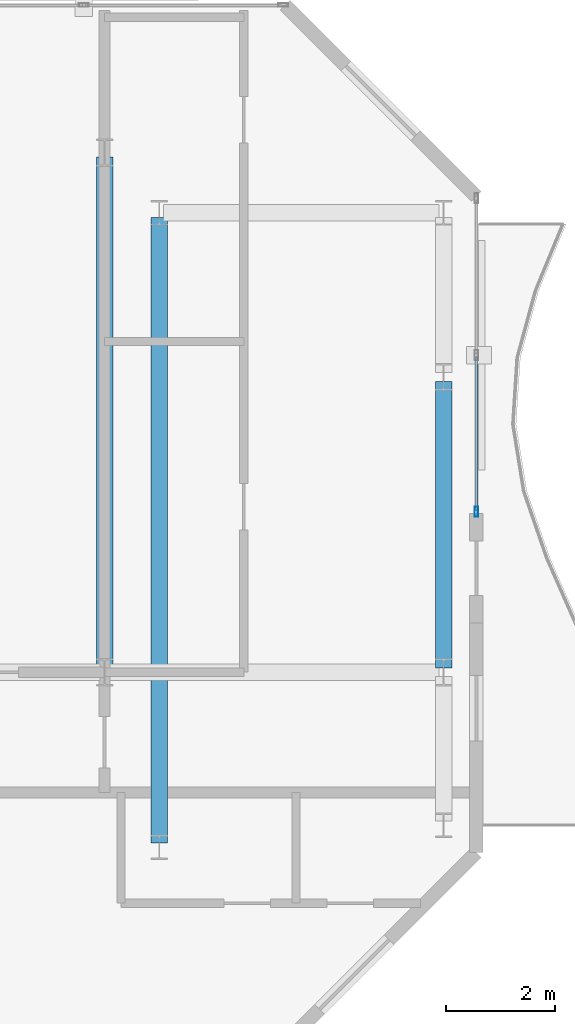
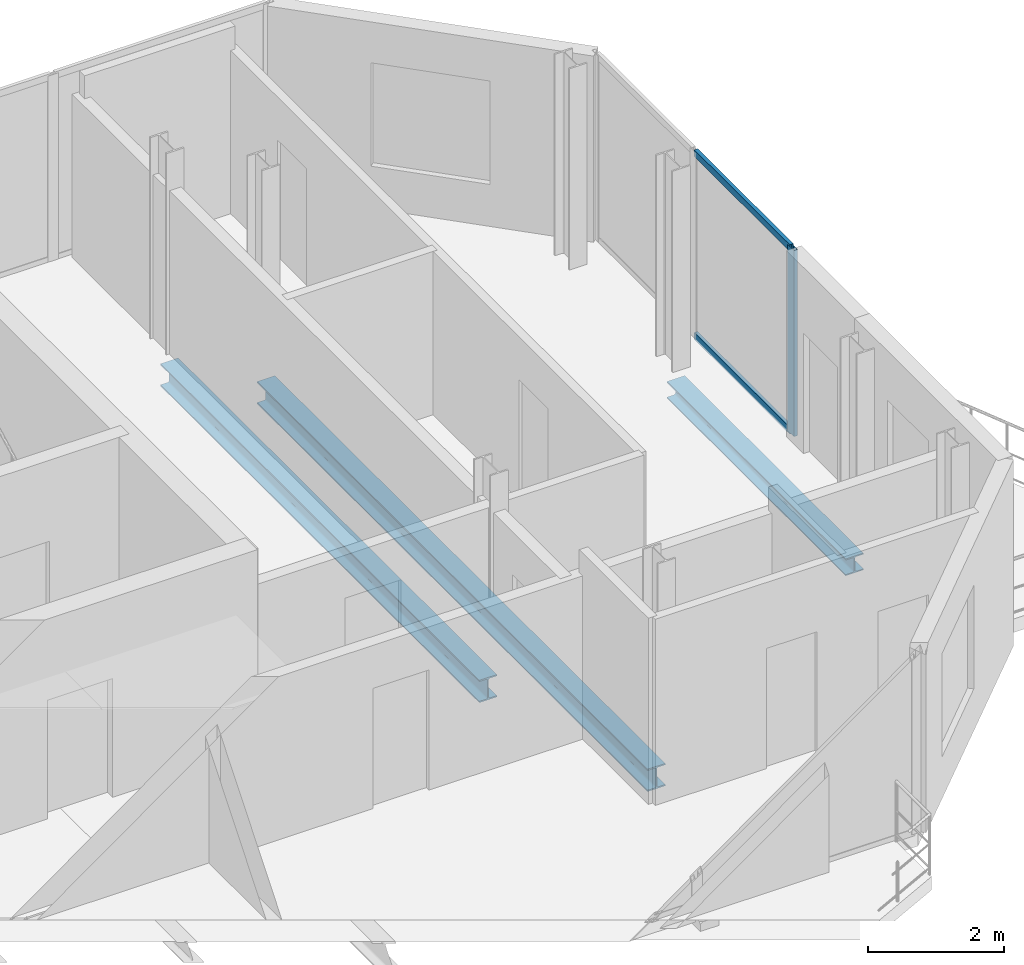
# One storey, part 14 of 23: 3 beams, 3 members, 1 element without a shape of its own.
"""IFC4 building model written with IfcOpenShell, lengths in metres."""

from ifc_helpers import new_model, si_unit, direction, frame, origin, origin_2d, place, context, subcontext, project, spatial, hollow_rectangle, i_section, extrude, material, layer, layer_set, material_profile, profile_set, type_object, element, aggregate, save


model = new_model("IFC4")

# Units and contexts
model_context = context("Model", 3, precision=1e-05, world=origin(), true_north=direction((0.0, 1.0)))
body_context = subcontext(model_context, "Body", "Model", "MODEL_VIEW")
ifc_project = project(units=[si_unit("LENGTHUNIT", "METRE"), si_unit("AREAUNIT", "SQUARE_METRE"), si_unit("VOLUMEUNIT", "CUBIC_METRE"), si_unit("PLANEANGLEUNIT", "RADIAN"), si_unit("MASSUNIT", "GRAM", prefix="KILO")], contexts=[model_context])

# Site, building, storey
site_placement = place(None, origin())
site = spatial("IfcSite", under=ifc_project, at=site_placement, CompositionType="ELEMENT")
building_placement = place(site_placement, origin())
building = spatial("IfcBuilding", under=site, at=building_placement, Name="Catumbela Crestline Tower", CompositionType="ELEMENT")
storey_placement = place(building_placement, frame((0.0, 0.0, 193.8)))
storey = spatial("IfcBuildingStorey", under=building, at=storey_placement, Name="L50", CompositionType="ELEMENT", Elevation=193.8)

# Beams
ifc_material_1 = material(Name="Structural steel S355J2", Category="steel")
ifc_material_profile_1 = material_profile(ifc_material_1, i_section(OverallWidth=0.3, OverallDepth=0.4, WebThickness=0.0135, FlangeThickness=0.024, FilletRadius=0.027, at=origin_2d()), Name="HEB 400")
ifc_profile_set_1 = profile_set([ifc_material_profile_1], Name="Structural steel S355J2")
beam_type_1 = type_object("IfcBeamType", Name="BG-HEB400", PredefinedType="BEAM", material=ifc_profile_set_1)
beam_1_placement = place(storey_placement, frame((44.2, 30.88, -0.46), z_axis=(0.0, 1.0, 0.0), x_axis=(-1.0, 0.0, 0.0)))
element("IfcBeam", 1, at=beam_1_placement, inside=storey, type_object=beam_type_1, Name="L50 Beam BM-L50-SN21", PredefinedType="BEAM", context=body_context, shape_type="SweptSolid", body=[
    extrude(i_section(OverallWidth=0.3, OverallDepth=0.4, WebThickness=0.0135, FlangeThickness=0.024, FilletRadius=0.027, at=origin_2d()), origin(), (0.0, 0.0, 1.0), 9.34),
])
beam_2_placement = place(storey_placement, frame((45.2, 27.68, -0.46), z_axis=(0.0, 1.0, 0.0), x_axis=(-1.0, 0.0, 0.0)))
element("IfcBeam", 2, at=beam_2_placement, inside=storey, type_object=beam_type_1, Name="L50 Beam BM-L50-SN22", PredefinedType="BEAM", context=body_context, shape_type="SweptSolid", body=[
    extrude(i_section(OverallWidth=0.3, OverallDepth=0.4, WebThickness=0.0135, FlangeThickness=0.024, FilletRadius=0.027, at=origin_2d()), origin(), (0.0, 0.0, 1.0), 11.44),
])

# Curtain wall, member
ifc_material_2 = material(Name="Aluminium alloy AW-6060-T66", Category="aluminium")
ifc_layer = layer(ifc_material_2, 0.18, Name="Aluminium alloy AW-6060-T66")
ifc_layer_set = layer_set([ifc_layer], Name="Aluminium alloy AW-6060-T66")
curtain_wall_type = type_object("IfcCurtainWallType", Name="CWU-Z3", PredefinedType="USERDEFINED", material=ifc_layer_set)
curtain_wall_placement = place(storey_placement, origin())
curtain_wall = element("IfcCurtainWall", 3, at=curtain_wall_placement, inside=storey, type_object=curtain_wall_type, Name="L50 Unitised Curtain Wall CW-L50-E5S2", ObjectType="UNITISED", PredefinedType="USERDEFINED")
ifc_material_profile_2 = material_profile(ifc_material_2, hollow_rectangle(XDim=0.065, YDim=0.18, WallThickness=0.004, at=origin_2d()), Name="ALU 180x65x4")
ifc_profile_set_2 = profile_set([ifc_material_profile_2], Name="Aluminium alloy AW-6060-T66")
member_type_1 = type_object("IfcMemberType", Name="MUL-180X65", PredefinedType="MULLION", material=ifc_profile_set_2)
member_1_placement = place(storey_placement, frame((51.0, 33.7325, 0.0), z_axis=(0.0, 0.0, 1.0), x_axis=(-1.0, 0.0, 0.0)))
member_1 = element("IfcMember", 4, at=member_1_placement, type_object=member_type_1, Name="CWU-Z3 mullion 1", PredefinedType="MULLION", context=body_context, shape_type="SweptSolid", body=[
    extrude(hollow_rectangle(XDim=0.065, YDim=0.18, WallThickness=0.004, at=origin_2d()), origin(), (0.0, 0.0, 1.0), 3.33),
])

# Beam
ifc_material_profile_3 = material_profile(ifc_material_1, i_section(OverallWidth=0.3, OverallDepth=0.3, WebThickness=0.011, FlangeThickness=0.019, FilletRadius=0.027, at=origin_2d()), Name="HEB 300")
ifc_profile_set_3 = profile_set([ifc_material_profile_3], Name="Structural steel S355J2")
beam_type_2 = type_object("IfcBeamType", Name="BS-HEB300", PredefinedType="SPANDREL", material=ifc_profile_set_3)
beam_3_placement = place(storey_placement, frame((50.4, 30.88, -0.41), z_axis=(0.0, 1.0, 0.0), x_axis=(-1.0, 0.0, 0.0)))
element("IfcBeam", 5, at=beam_3_placement, inside=storey, type_object=beam_type_2, Name="L50 Spandrel SP-L50-SN24", PredefinedType="SPANDREL", context=body_context, shape_type="SweptSolid", body=[
    extrude(i_section(OverallWidth=0.3, OverallDepth=0.3, WebThickness=0.011, FlangeThickness=0.019, FilletRadius=0.027, at=origin_2d()), origin(), (0.0, 0.0, 1.0), 5.24),
])

# Member
ifc_material_profile_4 = material_profile(ifc_material_2, hollow_rectangle(XDim=0.06, YDim=0.12, WallThickness=0.0035, at=origin_2d()), Name="ALU 120x60x3.5")
ifc_profile_set_4 = profile_set([ifc_material_profile_4], Name="Aluminium alloy AW-6060-T66")
member_type_2 = type_object("IfcMemberType", Name="TRN-120X60", PredefinedType="USERDEFINED", material=ifc_profile_set_4)
member_2_placement = place(storey_placement, frame((51.0, 33.765, 0.03), z_axis=(0.0, 1.0, 0.0), x_axis=(-1.0, 0.0, 0.0)))
member_2 = element("IfcMember", 6, at=member_2_placement, type_object=member_type_2, Name="CWU-Z3 transom 1.1", ObjectType="TRANSOM", PredefinedType="USERDEFINED", context=body_context, shape_type="SweptSolid", body=[
    extrude(hollow_rectangle(XDim=0.06, YDim=0.12, WallThickness=0.0035, at=origin_2d()), origin(), (0.0, 0.0, 1.0), 2.8025),
])

member_3_placement = place(storey_placement, frame((51.0, 33.765, 3.3), z_axis=(0.0, 1.0, 0.0), x_axis=(-1.0, 0.0, 0.0)))
member_3 = element("IfcMember", 7, at=member_3_placement, type_object=member_type_2, Name="CWU-Z3 transom 1.2", ObjectType="TRANSOM", PredefinedType="USERDEFINED", context=body_context, shape_type="SweptSolid", body=[
    extrude(hollow_rectangle(XDim=0.06, YDim=0.12, WallThickness=0.0035, at=origin_2d()), origin(), (0.0, 0.0, 1.0), 2.8025),
])

aggregate(curtain_wall, [member_1, member_2, member_3])

save(model, "model.ifc")
